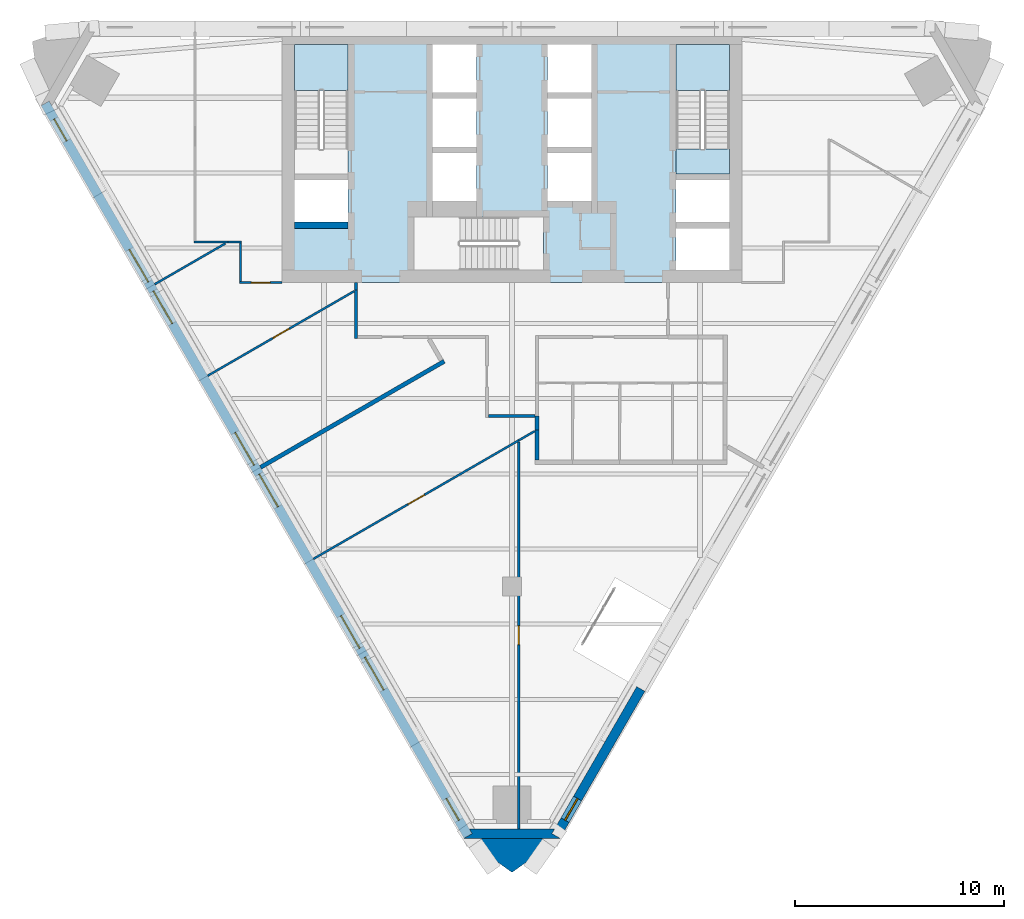
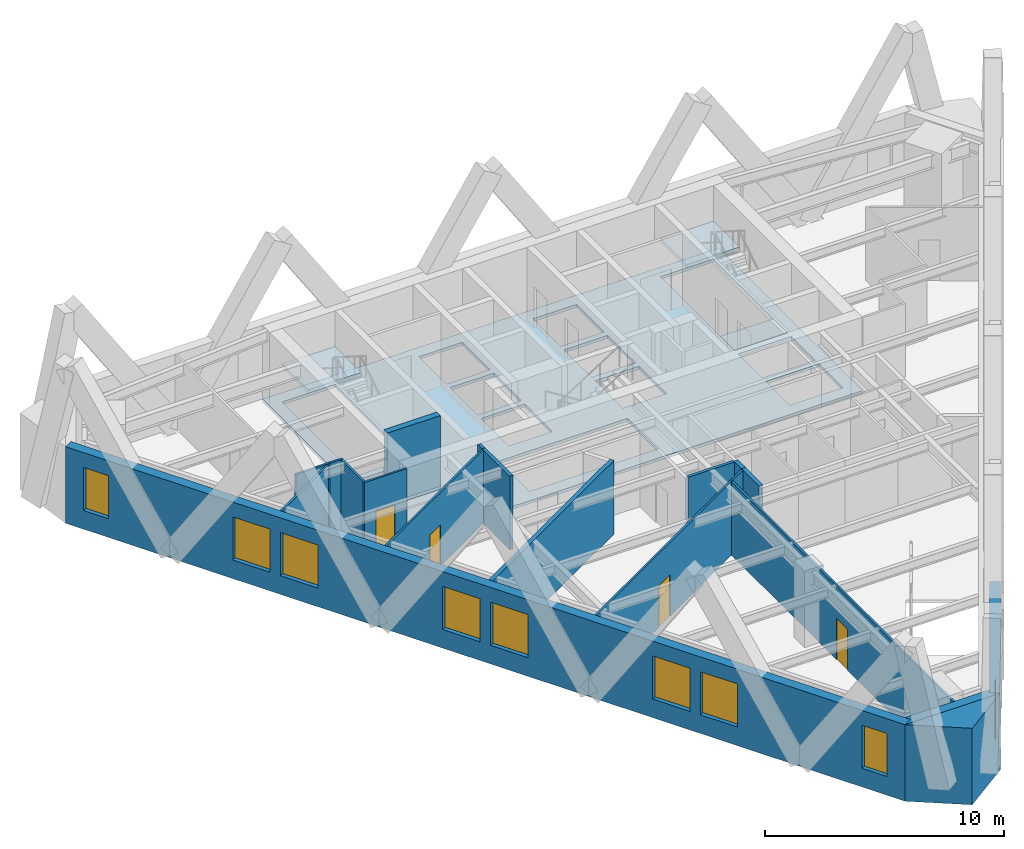
# One storey, part 4 of 11: 20 walls, 9 windows, 4 doors, 4 slabs, 13 openings, 2 elements without a shape of their own.
"""IFC4 building model written with IfcOpenShell, lengths in metres."""

from ifc_helpers import new_model, si_unit, direction, frame, frame_2d, origin, place, context, subcontext, project, spatial, polyline, rectangle, outline, extrude, material, layer, layer_set, type_object, element, fill, aggregate, save


model = new_model("IFC4")

# Units and contexts
model_context = context("Model", 3, precision=1e-05, world=origin(), true_north=direction((0.0, 1.0)))
body_context = subcontext(model_context, "Body", "Model", "MODEL_VIEW")
ifc_project = project(units=[si_unit("LENGTHUNIT", "METRE"), si_unit("AREAUNIT", "SQUARE_METRE"), si_unit("VOLUMEUNIT", "CUBIC_METRE"), si_unit("PLANEANGLEUNIT", "RADIAN"), si_unit("MASSUNIT", "GRAM", prefix="KILO")], contexts=[model_context])

# Site, building, storey
site_placement = place(None, origin())
site = spatial("IfcSite", under=ifc_project, at=site_placement, CompositionType="ELEMENT")
building_placement = place(site_placement, origin())
building = spatial("IfcBuilding", under=site, at=building_placement, Name="Aloe Facet Convention Tower", CompositionType="ELEMENT")
storey_placement = place(building_placement, frame((0.0, 0.0, 167.60009765625)))
storey = spatial("IfcBuildingStorey", under=building, at=storey_placement, Name="L42", CompositionType="ELEMENT", Elevation=167.60009765625)

# Slabs
ifc_material_1 = material(Name="Concrete C60/75", Category="concrete")
ifc_layer_1 = layer(ifc_material_1, 0.14990234375)
ifc_layer_set_1 = layer_set([ifc_layer_1], Name="CR-S-FLOOR150-C6075")
slab_type_1 = type_object("IfcSlabType", Name="CR-S-FLOOR150-C6075", PredefinedType="FLOOR", material=ifc_layer_set_1)
slab_1_placement = place(storey_placement, frame((0.0, 0.0, -0.150146484375)))
element("IfcSlab", 1, at=slab_1_placement, inside=storey, type_object=slab_type_1, Name="Core floor L42", PredefinedType="FLOOR", context=body_context, shape_type="SweptSolid", body=[
    extrude(outline(polyline([(71.85009765625, 134.550048828125), (72.75, 134.550048828125), (75.60009765625, 134.550048828125), (76.5, 134.550048828125), (78.0, 134.550048828125), (78.89990234375, 134.550048828125), (81.10009765625, 134.550048828125), (82.0, 134.550048828125), (83.5, 134.550048828125), (84.39990234375, 134.550048828125), (87.25, 134.550048828125), (88.14990234375, 134.550048828125), (91.0, 134.550048828125), (91.0, 128.050048828125), (91.0, 127.14990234375), (91.0, 125.75), (91.0, 124.85009765625), (91.0, 122.550048828125), (88.14990234375, 122.550048828125), (87.25, 122.550048828125), (85.300048828125, 122.550048828125), (84.39990234375, 122.550048828125), (82.10009765625, 122.550048828125), (81.199951171875, 122.550048828125), (75.60009765625, 122.550048828125), (74.699951171875, 122.550048828125), (72.75, 122.550048828125), (71.85009765625, 122.550048828125), (69.0, 122.550048828125), (69.0, 124.85009765625), (69.0, 125.75), (69.0, 127.14990234375), (69.0, 128.050048828125), (69.0, 134.550048828125), (71.85009765625, 134.550048828125)]), holes=[polyline([(80.298828125, 123.14990234375), (81.5, 123.14990234375), (81.5, 125.699951171875), (80.298828125, 125.699951171875), (75.300048828125, 125.699951171875), (75.300048828125, 123.14990234375), (80.298828125, 123.14990234375)]), polyline([(69.60009765625, 125.449951171875), (72.14990234375, 125.449951171875), (72.14990234375, 127.449951171875), (69.60009765625, 127.449951171875), (69.60009765625, 125.449951171875)]), polyline([(76.199951171875, 126.449951171875), (78.300048828125, 126.449951171875), (78.300048828125, 128.75), (76.199951171875, 128.75), (76.199951171875, 126.449951171875)]), polyline([(78.300048828125, 129.050048828125), (78.300048828125, 131.35009765625), (76.199951171875, 131.35009765625), (76.199951171875, 129.050048828125), (78.300048828125, 129.050048828125)]), polyline([(69.60009765625, 133.949951171875), (69.60009765625, 128.951171875), (69.60009765625, 127.75), (72.14990234375, 127.75), (72.14990234375, 128.951171875), (72.14990234375, 133.949951171875), (69.60009765625, 133.949951171875)]), polyline([(76.199951171875, 131.64990234375), (78.300048828125, 131.64990234375), (78.300048828125, 133.949951171875), (76.199951171875, 133.949951171875), (76.199951171875, 131.64990234375)]), polyline([(90.39990234375, 123.14990234375), (90.39990234375, 125.14990234375), (87.85009765625, 125.14990234375), (87.85009765625, 123.14990234375), (90.39990234375, 123.14990234375)]), polyline([(87.85009765625, 125.449951171875), (90.39990234375, 125.449951171875), (90.39990234375, 127.449951171875), (87.85009765625, 127.449951171875), (87.85009765625, 125.449951171875)]), polyline([(81.699951171875, 126.449951171875), (83.800048828125, 126.449951171875), (83.800048828125, 128.75), (81.699951171875, 128.75), (81.699951171875, 126.449951171875)]), polyline([(83.800048828125, 129.050048828125), (83.800048828125, 131.35009765625), (81.699951171875, 131.35009765625), (81.699951171875, 129.050048828125), (83.800048828125, 129.050048828125)]), polyline([(87.85009765625, 133.949951171875), (87.85009765625, 128.951171875), (87.85009765625, 127.75), (90.39990234375, 127.75), (90.39990234375, 128.951171875), (90.39990234375, 133.949951171875), (87.85009765625, 133.949951171875)]), polyline([(81.699951171875, 131.64990234375), (83.800048828125, 131.64990234375), (83.800048828125, 133.949951171875), (81.699951171875, 133.949951171875), (81.699951171875, 131.64990234375)])]), origin(), (0.0, 0.0, 1.0), 0.150146484375),
])
ifc_material_2 = material(Name="Concrete C60/75", Category="concrete")
ifc_layer_2 = layer(ifc_material_2, 0.300048828125)
ifc_layer_set_2 = layer_set([ifc_layer_2], Name="CR-S-FLOOR300-C6075")
slab_type_2 = type_object("IfcSlabType", Name="CR-S-FLOOR300-C6075", PredefinedType="FLOOR", material=ifc_layer_set_2)
slab_2_placement = place(storey_placement, frame((0.0, 0.0, -0.300048828125)))
element("IfcSlab", 2, at=slab_2_placement, inside=storey, type_object=slab_type_2, Name="Stair landing floor L42", PredefinedType="FLOOR", context=body_context, shape_type="SweptSolid", body=[
    extrude(outline(polyline([(90.39990234375, 127.75), (90.39990234375, 128.951171875), (87.85009765625, 128.951171875), (87.85009765625, 127.75), (90.39990234375, 127.75)])), origin(), (0.0, 0.0, 1.0), 0.300048828125),
])

# Stair, slab
ifc_material_3 = material(Name="Concrete C50/60", Category="concrete")
stair_type = type_object("IfcStairType", Name="CR-ST-22R", PredefinedType="HALF_TURN_STAIR", material=ifc_material_3)
stair_1_placement = place(storey_placement, origin())
stair_1 = element("IfcStair", 3, at=stair_1_placement, inside=storey, type_object=stair_type, Name="L42 Protected exit stair ST1", PredefinedType="HALF_TURN_STAIR")
ifc_material_4 = material(Name="Concrete C50/60", Category="concrete")
ifc_layer_3 = layer(ifc_material_4, 0.199951171875)
ifc_layer_set_3 = layer_set([ifc_layer_3], Name="CR-SL-LANDING")
slab_type_3 = type_object("IfcSlabType", Name="CR-SL-LANDING", PredefinedType="LANDING", material=ifc_layer_set_3)
slab_3_placement = place(storey_placement, frame((0.0, 0.0, 1.75)))
slab_3 = element("IfcSlab", 4, at=slab_3_placement, type_object=slab_type_3, Name="ST1 landing 1", PredefinedType="LANDING", context=body_context, shape_type="SweptSolid", body=[
    extrude(outline(polyline([(72.14990234375, 131.75), (72.14990234375, 133.949951171875), (69.60009765625, 133.949951171875), (69.60009765625, 131.75), (72.14990234375, 131.75)])), origin(), (0.0, 0.0, 1.0), 0.199951171875),
])
aggregate(stair_1, [slab_3])

stair_2_placement = place(storey_placement, origin())
stair_2 = element("IfcStair", 5, at=stair_2_placement, inside=storey, type_object=stair_type, Name="L42 Protected exit stair ST2", PredefinedType="HALF_TURN_STAIR")
slab_4_placement = place(storey_placement, frame((0.0, 0.0, 1.75)))
slab_4 = element("IfcSlab", 6, at=slab_4_placement, type_object=slab_type_3, Name="ST2 landing 1", PredefinedType="LANDING", context=body_context, shape_type="SweptSolid", body=[
    extrude(outline(polyline([(90.39990234375, 131.75), (90.39990234375, 133.949951171875), (87.85009765625, 133.949951171875), (87.85009765625, 131.75), (90.39990234375, 131.75)])), origin(), (0.0, 0.0, 1.0), 0.199951171875),
])
aggregate(stair_2, [slab_4])

# Walls
ifc_material_5 = material(Name="Concrete C60/75", Category="concrete")
ifc_layer_4 = layer(ifc_material_5, 0.300048828125)
ifc_layer_set_4 = layer_set([ifc_layer_4], Name="CR-W-RC300-C6075")
wall_type_1 = type_object("IfcWallType", Name="CR-W-RC300-C6075", PredefinedType="SOLIDWALL", material=ifc_layer_set_4)
wall_1_placement = place(storey_placement, frame((69.60009765625, 125.300048828125, 0.0), z_axis=(0.0, 0.0, 1.0), x_axis=(1.0, 0.0, 0.0)))
element("IfcWall", 7, at=wall_1_placement, inside=storey, type_object=wall_type_1, Name="Core wall L42-005", PredefinedType="SOLIDWALL", context=body_context, shape_type="SweptSolid", body=[
    extrude(rectangle(XDim=2.5498046875, YDim=0.300048828125, at=frame_2d((1.27490234375, 0.0))), origin(), (0.0, 0.0, 1.0), 3.75),
])
ifc_material_6 = material(Name="Precast concrete C40/50", Category="concrete")
ifc_layer_5 = layer(ifc_material_6, 0.449951171875)
ifc_layer_set_5 = layer_set([ifc_layer_5], Name="EV-WALL-PIER")
wall_type_2 = type_object("IfcWallType", Name="EV-WALL-PIER", PredefinedType="SOLIDWALL", material=ifc_layer_set_5)
wall_2_placement = place(storey_placement, frame((0.0, 0.0, -0.150146484375)))
element("IfcWall", 8, at=wall_2_placement, inside=storey, type_object=wall_type_2, Name="EP-L42-B", PredefinedType="SOLIDWALL", context=body_context, shape_type="SweptSolid", body=[
    extrude(outline(polyline([(77.699951171875, 95.954345703125), (78.089599609375, 96.17919921875), (77.959716796875, 96.404296875), (82.040283203125, 96.404296875), (81.910400390625, 96.17919921875), (82.300048828125, 95.954345703125), (77.699951171875, 95.954345703125)])), origin(), (0.0, 0.0, 1.0), 3.900146484375),
])
ifc_material_7 = material(Name="Precast concrete C40/50", Category="concrete")
ifc_layer_6 = layer(ifc_material_7, 3.947998046875)
ifc_layer_set_6 = layer_set([ifc_layer_6], Name="EV-WALL-SPINE")
wall_type_3 = type_object("IfcWallType", Name="EV-WALL-SPINE", PredefinedType="SOLIDWALL", material=ifc_layer_set_6)
wall_3_placement = place(storey_placement, frame((0.0, 0.0, -0.150146484375)))
element("IfcWall", 9, at=wall_3_placement, inside=storey, type_object=wall_type_3, Name="SP-S-L42", PredefinedType="SOLIDWALL", context=body_context, shape_type="SweptSolid", body=[
    extrude(outline(polyline([(77.699951171875, 95.954345703125), (80.0, 94.32275390625), (82.300048828125, 95.954345703125), (77.699951171875, 95.954345703125)])), origin(), (0.0, 0.0, 1.0), 3.900146484375),
])

# Wall, openings, windows
ifc_material_8 = material(Name="Precast concrete C40/50", Category="concrete")
ifc_layer_7 = layer(ifc_material_8, 0.449951171875)
ifc_layer_set_7 = layer_set([ifc_layer_7], Name="EV-WALL-STONE")
wall_type_4 = type_object("IfcWallType", Name="EV-WALL-STONE", PredefinedType="SOLIDWALL", material=ifc_layer_set_7)
wall_4_placement = place(storey_placement, frame((57.65185546875, 131.128662109375, -0.150146484375), z_axis=(0.0, 0.0, 1.0), x_axis=(0.499997369791, -0.866026922331, 0.0)))
wall_4 = element("IfcWall", 10, at=wall_4_placement, inside=storey, type_object=wall_type_4, Name="EW-L42-W01", PredefinedType="SOLIDWALL", context=body_context, shape_type="SweptSolid", body=[
    extrude(outline(polyline([(40.486083984375, 0.0), (40.486083984375, 3.900146484375), (0.0, 3.900146484375), (0.0, 0.0), (40.486083984375, 0.0)])), frame((0.0, 0.22509765625, 0.0), z_axis=(0.0, -1.0, 0.0), x_axis=(1.0, 0.0, 0.0)), (0.0, 0.0, 1.0), 0.449951171875),
])
opening_1_placement = place(wall_4_placement, frame((0.86962890625, 0.0, 0.949951171875)))
opening_1 = element("IfcOpeningElement", 11, at=opening_1_placement, cuts=wall_4, Name="Opening W-L42-W01", PredefinedType="OPENING", context=body_context, shape_type="SweptSolid", body=[
    extrude(rectangle(XDim=1.199951171875, YDim=2.199951171875, at=frame_2d((0.60009765625, 1.10009765625))), frame((0.0, 0.23486328125, 0.0), z_axis=(0.0, -1.0, 0.0), x_axis=(1.0, 0.0, 0.0)), (0.0, 0.0, 1.0), 0.469970703125),
])
opening_2_placement = place(wall_4_placement, frame((8.071533203125, 0.0, 0.949951171875)))
opening_2 = element("IfcOpeningElement", 12, at=opening_2_placement, cuts=wall_4, Name="Opening W-L42-W02", PredefinedType="OPENING", context=body_context, shape_type="SweptSolid", body=[
    extrude(rectangle(XDim=1.800048828125, YDim=2.199951171875, at=frame_2d((0.89990234375, 1.10009765625))), frame((0.0, 0.23486328125, 0.0), z_axis=(0.0, -1.0, 0.0), x_axis=(1.0, 0.0, 0.0)), (0.0, 0.0, 1.0), 0.469970703125),
])
opening_3_placement = place(wall_4_placement, frame((10.37158203125, 0.0, 0.949951171875)))
opening_3 = element("IfcOpeningElement", 13, at=opening_3_placement, cuts=wall_4, Name="Opening W-L42-W03", PredefinedType="OPENING", context=body_context, shape_type="SweptSolid", body=[
    extrude(rectangle(XDim=1.800048828125, YDim=2.199951171875, at=frame_2d((0.89990234375, 1.10009765625))), frame((0.0, 0.23486328125, 0.0), z_axis=(0.0, -1.0, 0.0), x_axis=(1.0, 0.0, 0.0)), (0.0, 0.0, 1.0), 0.469970703125),
])
opening_4_placement = place(wall_4_placement, frame((18.193115234375, 0.0, 0.949951171875)))
opening_4 = element("IfcOpeningElement", 14, at=opening_4_placement, cuts=wall_4, Name="Opening W-L42-W04", PredefinedType="OPENING", context=body_context, shape_type="SweptSolid", body=[
    extrude(rectangle(XDim=1.800048828125, YDim=2.199951171875, at=frame_2d((0.89990234375, 1.10009765625))), frame((0.0, 0.23486328125, 0.0), z_axis=(0.0, -1.0, 0.0), x_axis=(1.0, 0.0, 0.0)), (0.0, 0.0, 1.0), 0.469970703125),
])
opening_5_placement = place(wall_4_placement, frame((20.4931640625, 0.0, 0.949951171875)))
opening_5 = element("IfcOpeningElement", 15, at=opening_5_placement, cuts=wall_4, Name="Opening W-L42-W05", PredefinedType="OPENING", context=body_context, shape_type="SweptSolid", body=[
    extrude(rectangle(XDim=1.800048828125, YDim=2.199951171875, at=frame_2d((0.89990234375, 1.10009765625))), frame((0.0, 0.23486328125, 0.0), z_axis=(0.0, -1.0, 0.0), x_axis=(1.0, 0.0, 0.0)), (0.0, 0.0, 1.0), 0.469970703125),
])
opening_6_placement = place(wall_4_placement, frame((28.314697265625, 0.0, 0.949951171875)))
opening_6 = element("IfcOpeningElement", 16, at=opening_6_placement, cuts=wall_4, Name="Opening W-L42-W06", PredefinedType="OPENING", context=body_context, shape_type="SweptSolid", body=[
    extrude(rectangle(XDim=1.800048828125, YDim=2.199951171875, at=frame_2d((0.89990234375, 1.10009765625))), frame((0.0, 0.23486328125, 0.0), z_axis=(0.0, -1.0, 0.0), x_axis=(1.0, 0.0, 0.0)), (0.0, 0.0, 1.0), 0.469970703125),
])
opening_7_placement = place(wall_4_placement, frame((30.614501953125, 0.0, 0.949951171875)))
opening_7 = element("IfcOpeningElement", 17, at=opening_7_placement, cuts=wall_4, Name="Opening W-L42-W07", PredefinedType="OPENING", context=body_context, shape_type="SweptSolid", body=[
    extrude(rectangle(XDim=1.800048828125, YDim=2.199951171875, at=frame_2d((0.89990234375, 1.10009765625))), frame((0.0, 0.23486328125, 0.0), z_axis=(0.0, -1.0, 0.0), x_axis=(1.0, 0.0, 0.0)), (0.0, 0.0, 1.0), 0.469970703125),
])
opening_8_placement = place(wall_4_placement, frame((38.41650390625, 0.0, 0.949951171875)))
opening_8 = element("IfcOpeningElement", 18, at=opening_8_placement, cuts=wall_4, Name="Opening W-L42-W08", PredefinedType="OPENING", context=body_context, shape_type="SweptSolid", body=[
    extrude(rectangle(XDim=1.199951171875, YDim=2.199951171875, at=frame_2d((0.60009765625, 1.10009765625))), frame((0.0, 0.23486328125, 0.0), z_axis=(0.0, -1.0, 0.0), x_axis=(1.0, 0.0, 0.0)), (0.0, 0.0, 1.0), 0.469970703125),
])
ifc_material_9 = material(Name="Aluminium frame, clear double glazing", Category="aluminium")
window_type_1 = type_object("IfcWindowType", Name="EV-WIN-O12", PartitioningType="SINGLE_PANEL", PredefinedType="WINDOW", material=ifc_material_9)
window_1_placement = place(opening_1_placement, origin())
window_1 = element("IfcWindow", 19, at=window_1_placement, inside=storey, type_object=window_type_1, Name="W-L42-W01", OverallHeight=2.199951171875, OverallWidth=1.199951171875, PartitioningType="SINGLE_PANEL", PredefinedType="WINDOW", context=body_context, shape_type="SweptSolid", body=[
    extrude(rectangle(XDim=1.199951171875, YDim=2.199951171875, at=frame_2d((0.60009765625, 1.10009765625))), frame((0.0, 0.030029296875, 0.0), z_axis=(0.0, -1.0, 0.0), x_axis=(1.0, 0.0, 0.0)), (0.0, 0.0, 1.0), 0.06005859375),
])
fill(opening_1, window_1)
window_2_placement = place(opening_8_placement, origin())
window_2 = element("IfcWindow", 20, at=window_2_placement, inside=storey, type_object=window_type_1, Name="W-L42-W08", OverallHeight=2.199951171875, OverallWidth=1.199951171875, PartitioningType="SINGLE_PANEL", PredefinedType="WINDOW", context=body_context, shape_type="SweptSolid", body=[
    extrude(rectangle(XDim=1.199951171875, YDim=2.199951171875, at=frame_2d((0.60009765625, 1.10009765625))), frame((0.0, 0.030029296875, 0.0), z_axis=(0.0, -1.0, 0.0), x_axis=(1.0, 0.0, 0.0)), (0.0, 0.0, 1.0), 0.06005859375),
])
fill(opening_8, window_2)
ifc_material_10 = material(Name="Aluminium frame, clear double glazing", Category="aluminium")
window_type_2 = type_object("IfcWindowType", Name="EV-WIN-O18", PartitioningType="SINGLE_PANEL", PredefinedType="WINDOW", material=ifc_material_10)
window_3_placement = place(opening_2_placement, origin())
window_3 = element("IfcWindow", 21, at=window_3_placement, inside=storey, type_object=window_type_2, Name="W-L42-W02", OverallHeight=2.199951171875, OverallWidth=1.800048828125, PartitioningType="SINGLE_PANEL", PredefinedType="WINDOW", context=body_context, shape_type="SweptSolid", body=[
    extrude(rectangle(XDim=1.800048828125, YDim=2.199951171875, at=frame_2d((0.89990234375, 1.10009765625))), frame((0.0, 0.030029296875, 0.0), z_axis=(0.0, -1.0, 0.0), x_axis=(1.0, 0.0, 0.0)), (0.0, 0.0, 1.0), 0.06005859375),
])
fill(opening_2, window_3)
window_4_placement = place(opening_3_placement, origin())
window_4 = element("IfcWindow", 22, at=window_4_placement, inside=storey, type_object=window_type_2, Name="W-L42-W03", OverallHeight=2.199951171875, OverallWidth=1.800048828125, PartitioningType="SINGLE_PANEL", PredefinedType="WINDOW", context=body_context, shape_type="SweptSolid", body=[
    extrude(rectangle(XDim=1.800048828125, YDim=2.199951171875, at=frame_2d((0.89990234375, 1.10009765625))), frame((0.0, 0.030029296875, 0.0), z_axis=(0.0, -1.0, 0.0), x_axis=(1.0, 0.0, 0.0)), (0.0, 0.0, 1.0), 0.06005859375),
])
fill(opening_3, window_4)
window_5_placement = place(opening_4_placement, origin())
window_5 = element("IfcWindow", 23, at=window_5_placement, inside=storey, type_object=window_type_2, Name="W-L42-W04", OverallHeight=2.199951171875, OverallWidth=1.800048828125, PartitioningType="SINGLE_PANEL", PredefinedType="WINDOW", context=body_context, shape_type="SweptSolid", body=[
    extrude(rectangle(XDim=1.800048828125, YDim=2.199951171875, at=frame_2d((0.89990234375, 1.10009765625))), frame((0.0, 0.030029296875, 0.0), z_axis=(0.0, -1.0, 0.0), x_axis=(1.0, 0.0, 0.0)), (0.0, 0.0, 1.0), 0.06005859375),
])
fill(opening_4, window_5)
window_6_placement = place(opening_5_placement, origin())
window_6 = element("IfcWindow", 24, at=window_6_placement, inside=storey, type_object=window_type_2, Name="W-L42-W05", OverallHeight=2.199951171875, OverallWidth=1.800048828125, PartitioningType="SINGLE_PANEL", PredefinedType="WINDOW", context=body_context, shape_type="SweptSolid", body=[
    extrude(rectangle(XDim=1.800048828125, YDim=2.199951171875, at=frame_2d((0.89990234375, 1.10009765625))), frame((0.0, 0.030029296875, 0.0), z_axis=(0.0, -1.0, 0.0), x_axis=(1.0, 0.0, 0.0)), (0.0, 0.0, 1.0), 0.06005859375),
])
fill(opening_5, window_6)
window_7_placement = place(opening_6_placement, origin())
window_7 = element("IfcWindow", 25, at=window_7_placement, inside=storey, type_object=window_type_2, Name="W-L42-W06", OverallHeight=2.199951171875, OverallWidth=1.800048828125, PartitioningType="SINGLE_PANEL", PredefinedType="WINDOW", context=body_context, shape_type="SweptSolid", body=[
    extrude(rectangle(XDim=1.800048828125, YDim=2.199951171875, at=frame_2d((0.89990234375, 1.10009765625))), frame((0.0, 0.030029296875, 0.0), z_axis=(0.0, -1.0, 0.0), x_axis=(1.0, 0.0, 0.0)), (0.0, 0.0, 1.0), 0.06005859375),
])
fill(opening_6, window_7)
window_8_placement = place(opening_7_placement, origin())
window_8 = element("IfcWindow", 26, at=window_8_placement, inside=storey, type_object=window_type_2, Name="W-L42-W07", OverallHeight=2.199951171875, OverallWidth=1.800048828125, PartitioningType="SINGLE_PANEL", PredefinedType="WINDOW", context=body_context, shape_type="SweptSolid", body=[
    extrude(rectangle(XDim=1.800048828125, YDim=2.199951171875, at=frame_2d((0.89990234375, 1.10009765625))), frame((0.0, 0.030029296875, 0.0), z_axis=(0.0, -1.0, 0.0), x_axis=(1.0, 0.0, 0.0)), (0.0, 0.0, 1.0), 0.06005859375),
])
fill(opening_7, window_8)

# Wall, opening, window
wall_5_placement = place(storey_placement, frame((82.105224609375, 96.066650390625, -0.150146484375), z_axis=(0.0, 0.0, 1.0), x_axis=(0.500002617434, 0.866023892603, 0.0)))
wall_5 = element("IfcWall", 27, at=wall_5_placement, inside=storey, type_object=wall_type_4, Name="EW-L42-E01", PredefinedType="SOLIDWALL", context=body_context, shape_type="SweptSolid", body=[
    extrude(outline(polyline([(0.0, 0.0), (0.0, 3.900146484375), (8.12158203125, 3.900146484375), (8.12158203125, 0.0), (0.0, 0.0)])), frame((0.0, 0.22509765625, 0.0), z_axis=(0.0, -1.0, 0.0), x_axis=(1.0, 0.0, 0.0)), (0.0, 0.0, 1.0), 0.449951171875),
])
opening_9_placement = place(wall_5_placement, frame((0.86962890625, 0.0, 0.949951171875)))
opening_9 = element("IfcOpeningElement", 28, at=opening_9_placement, cuts=wall_5, Name="Opening W-L42-E01", PredefinedType="OPENING", context=body_context, shape_type="SweptSolid", body=[
    extrude(rectangle(XDim=1.199951171875, YDim=2.199951171875, at=frame_2d((0.60009765625, 1.10009765625))), frame((0.0, 0.23486328125, 0.0), z_axis=(0.0, -1.0, 0.0), x_axis=(1.0, 0.0, 0.0)), (0.0, 0.0, 1.0), 0.469970703125),
])
window_9_placement = place(opening_9_placement, origin())
window_9 = element("IfcWindow", 29, at=window_9_placement, inside=storey, type_object=window_type_1, Name="W-L42-E01", OverallHeight=2.199951171875, OverallWidth=1.199951171875, PartitioningType="SINGLE_PANEL", PredefinedType="WINDOW", context=body_context, shape_type="SweptSolid", body=[
    extrude(rectangle(XDim=1.199951171875, YDim=2.199951171875, at=frame_2d((0.60009765625, 1.10009765625))), frame((0.0, 0.030029296875, 0.0), z_axis=(0.0, -1.0, 0.0), x_axis=(1.0, 0.0, 0.0)), (0.0, 0.0, 1.0), 0.06005859375),
])
fill(opening_9, window_9)

# Walls
ifc_material_11 = material(Name="Gypsum board partition on steel studs", Category="steel")
ifc_layer_8 = layer(ifc_material_11, 0.14990234375)
ifc_layer_set_8 = layer_set([ifc_layer_8], Name="IN-W-CORR")
wall_type_5 = type_object("IfcWallType", Name="IN-W-CORR", PredefinedType="PARTITIONING", material=ifc_layer_set_8)
wall_6_placement = place(storey_placement, frame((78.875, 116.15673828125, 0.0), z_axis=(0.0, 0.0, 1.0), x_axis=(1.0, 0.0, 0.0)))
element("IfcWall", 30, at=wall_6_placement, inside=storey, type_object=wall_type_5, Name="Partition L42-W015", PredefinedType="PARTITIONING", context=body_context, shape_type="SweptSolid", body=[
    extrude(rectangle(XDim=2.22509765625, YDim=0.14990234375, at=frame_2d((1.112548828125, 0.0))), origin(), (0.0, 0.0, 1.0), 3.75),
])
wall_7_placement = place(storey_placement, frame((72.52490234375, 119.875, 0.0), z_axis=(0.0, 0.0, 1.0), x_axis=(0.0, 1.0, 0.0)))
element("IfcWall", 31, at=wall_7_placement, inside=storey, type_object=wall_type_5, Name="Partition L42-W027", PredefinedType="PARTITIONING", context=body_context, shape_type="SweptSolid", body=[
    extrude(rectangle(XDim=2.309814453125, YDim=0.14990234375, at=frame_2d((1.15478515625, 0.0))), origin(), (0.0, 0.0, 1.0), 3.75),
])
wall_8_placement = place(storey_placement, frame((72.52490234375, 122.184814453125, 0.0), z_axis=(0.0, 0.0, 1.0), x_axis=(0.0, 1.0, 0.0)))
element("IfcWall", 32, at=wall_8_placement, inside=storey, type_object=wall_type_5, Name="Partition L42-W034", PredefinedType="PARTITIONING", context=body_context, shape_type="SweptSolid", body=[
    extrude(rectangle(XDim=0.365234375, YDim=0.14990234375, at=frame_2d((0.1826171875, 0.0))), origin(), (0.0, 0.0, 1.0), 3.75),
])

# Wall, opening, door
ifc_material_12 = material(Name="Gypsum board partition on steel studs", Category="steel")
ifc_layer_9 = layer(ifc_material_12, 0.10009765625)
ifc_layer_set_9 = layer_set([ifc_layer_9], Name="IN-W-PART")
wall_type_6 = type_object("IfcWallType", Name="IN-W-PART", PredefinedType="PARTITIONING", material=ifc_layer_set_9)
wall_9_placement = place(storey_placement, frame((70.49853515625, 109.32763671875, 0.0), z_axis=(0.0, 0.0, 1.0), x_axis=(0.866029704776, 0.49999255039, 0.0)))
wall_9 = element("IfcWall", 33, at=wall_9_placement, inside=storey, type_object=wall_type_6, Name="Partition L42-W001", PredefinedType="PARTITIONING", context=body_context, shape_type="SweptSolid", body=[
    extrude(rectangle(XDim=11.345458984375, YDim=0.10009765625, at=frame_2d((5.6728515625, 0.0))), origin(), (0.0, 0.0, 1.0), 3.75),
])
opening_10_placement = place(wall_9_placement, frame((5.22265625, 0.0, 0.0)))
opening_10 = element("IfcOpeningElement", 34, at=opening_10_placement, cuts=wall_9, Name="Opening L42-014", PredefinedType="OPENING", context=body_context, shape_type="SweptSolid", body=[
    extrude(rectangle(XDim=0.89990234375, YDim=2.10009765625, at=frame_2d((0.449951171875, 1.050048828125))), frame((0.0, 0.06005859375, 0.0), z_axis=(0.0, -1.0, 0.0), x_axis=(1.0, 0.0, 0.0)), (0.0, 0.0, 1.0), 0.1201171875),
])
ifc_material_13 = material(Name="Timber door", Category="wood")
door_type = type_object("IfcDoorType", Name="IN-OFF-D-ROOM", OperationType="SINGLE_SWING_LEFT", PredefinedType="DOOR", material=ifc_material_13)
door_1_placement = place(opening_10_placement, origin())
door_1 = element("IfcDoor", 35, at=door_1_placement, inside=storey, type_object=door_type, Name="Door L42-014", OperationType="SINGLE_SWING_LEFT", OverallHeight=2.10009765625, OverallWidth=0.89990234375, PredefinedType="DOOR", context=body_context, shape_type="SweptSolid", body=[
    extrude(rectangle(XDim=0.89990234375, YDim=2.10009765625, at=frame_2d((0.449951171875, 1.050048828125))), frame((0.0, 0.02490234375, 0.0), z_axis=(0.0, -1.0, 0.0), x_axis=(1.0, 0.0, 0.0)), (0.0, 0.0, 1.0), 0.050048828125),
])
fill(opening_10, door_1)

wall_10_placement = place(storey_placement, frame((80.323974609375, 96.404296875, 0.0), z_axis=(0.0, 0.0, 1.0), x_axis=(0.0, 1.0, 0.0)))
wall_10 = element("IfcWall", 36, at=wall_10_placement, inside=storey, type_object=wall_type_6, Name="Partition L42-W010", PredefinedType="PARTITIONING", context=body_context, shape_type="SweptSolid", body=[
    extrude(rectangle(XDim=18.52587890625, YDim=0.10009765625, at=frame_2d((9.262939453125, 0.0))), origin(), (0.0, 0.0, 1.0), 3.75),
])
opening_11_placement = place(wall_10_placement, frame((8.81298828125, 0.0, 0.0)))
opening_11 = element("IfcOpeningElement", 37, at=opening_11_placement, cuts=wall_10, Name="Opening L42-013", PredefinedType="OPENING", context=body_context, shape_type="SweptSolid", body=[
    extrude(rectangle(XDim=0.89990234375, YDim=2.10009765625, at=frame_2d((0.449951171875, 1.050048828125))), frame((0.0, 0.06005859375, 0.0), z_axis=(0.0, -1.0, 0.0), x_axis=(1.0, 0.0, 0.0)), (0.0, 0.0, 1.0), 0.1201171875),
])
door_2_placement = place(opening_11_placement, origin())
door_2 = element("IfcDoor", 38, at=door_2_placement, inside=storey, type_object=door_type, Name="Door L42-013", OperationType="SINGLE_SWING_LEFT", OverallHeight=2.10009765625, OverallWidth=0.89990234375, PredefinedType="DOOR", context=body_context, shape_type="SweptSolid", body=[
    extrude(rectangle(XDim=0.89990234375, YDim=2.10009765625, at=frame_2d((0.449951171875, 1.050048828125))), frame((0.0, 0.02490234375, 0.0), z_axis=(0.0, -1.0, 0.0), x_axis=(1.0, 0.0, 0.0)), (0.0, 0.0, 1.0), 0.050048828125),
])
fill(opening_11, door_2)

# Wall
wall_11_placement = place(storey_placement, frame((80.323974609375, 115.000244140625, 0.0), z_axis=(0.0, 0.0, 1.0), x_axis=(0.866070288904, 0.499922248632, 0.0)))
element("IfcWall", 39, at=wall_11_placement, inside=storey, type_object=wall_type_6, Name="Partition L42-W011", PredefinedType="PARTITIONING", context=body_context, shape_type="SweptSolid", body=[
    extrude(rectangle(XDim=0.881591796875, YDim=0.10009765625, at=frame_2d((0.44091796875, 0.0))), origin(), (0.0, 0.0, 1.0), 3.75),
])

# Wall, opening, door
wall_12_placement = place(storey_placement, frame((65.437744140625, 118.093017578125, 0.0), z_axis=(0.0, 0.0, 1.0), x_axis=(0.866029768103, 0.499992440702, 0.0)))
wall_12 = element("IfcWall", 40, at=wall_12_placement, inside=storey, type_object=wall_type_6, Name="Partition L42-W025", PredefinedType="PARTITIONING", context=body_context, shape_type="SweptSolid", body=[
    extrude(rectangle(XDim=8.088623046875, YDim=0.10009765625, at=frame_2d((4.04443359375, 0.0))), origin(), (0.0, 0.0, 1.0), 3.75),
])
opening_12_placement = place(wall_12_placement, frame((3.59423828125, 0.0, 0.0)))
opening_12 = element("IfcOpeningElement", 41, at=opening_12_placement, cuts=wall_12, Name="Opening L42-009", PredefinedType="OPENING", context=body_context, shape_type="SweptSolid", body=[
    extrude(rectangle(XDim=0.89990234375, YDim=2.10009765625, at=frame_2d((0.449951171875, 1.050048828125))), frame((0.0, 0.06005859375, 0.0), z_axis=(0.0, -1.0, 0.0), x_axis=(1.0, 0.0, 0.0)), (0.0, 0.0, 1.0), 0.1201171875),
])
door_3_placement = place(opening_12_placement, origin())
door_3 = element("IfcDoor", 42, at=door_3_placement, inside=storey, type_object=door_type, Name="Door L42-009", OperationType="SINGLE_SWING_LEFT", OverallHeight=2.10009765625, OverallWidth=0.89990234375, PredefinedType="DOOR", context=body_context, shape_type="SweptSolid", body=[
    extrude(rectangle(XDim=0.89990234375, YDim=2.10009765625, at=frame_2d((0.449951171875, 1.050048828125))), frame((0.0, 0.02490234375, 0.0), z_axis=(0.0, -1.0, 0.0), x_axis=(1.0, 0.0, 0.0)), (0.0, 0.0, 1.0), 0.050048828125),
])
fill(opening_12, door_3)

# Wall
wall_13_placement = place(storey_placement, frame((62.907470703125, 122.475830078125, 0.0), z_axis=(0.0, 0.0, 1.0), x_axis=(0.866014543207, 0.500018810599, 0.0)))
element("IfcWall", 43, at=wall_13_placement, inside=storey, type_object=wall_type_6, Name="Partition L42-W035", PredefinedType="PARTITIONING", context=body_context, shape_type="SweptSolid", body=[
    extrude(rectangle(XDim=3.898193359375, YDim=0.10009765625, at=frame_2d((1.94921875, 0.0))), origin(), (0.0, 0.0, 1.0), 3.75),
])

# Wall, opening, door
wall_14_placement = place(storey_placement, frame((66.949951171875, 122.550048828125, 0.0), z_axis=(0.0, 0.0, 1.0), x_axis=(1.0, 0.0, 0.0)))
wall_14 = element("IfcWall", 44, at=wall_14_placement, inside=storey, type_object=wall_type_6, Name="Partition L42-W036", PredefinedType="PARTITIONING", context=body_context, shape_type="SweptSolid", body=[
    extrude(rectangle(XDim=2.050048828125, YDim=0.10009765625, at=frame_2d((1.02490234375, 0.0))), origin(), (0.0, 0.0, 1.0), 3.75),
])
opening_13_placement = place(wall_14_placement, frame((0.574951171875, 0.0, 0.0)))
opening_13 = element("IfcOpeningElement", 45, at=opening_13_placement, cuts=wall_14, Name="Opening L42-007", PredefinedType="OPENING", context=body_context, shape_type="SweptSolid", body=[
    extrude(rectangle(XDim=0.89990234375, YDim=2.10009765625, at=frame_2d((0.449951171875, 1.050048828125))), frame((0.0, 0.06005859375, 0.0), z_axis=(0.0, -1.0, 0.0), x_axis=(1.0, 0.0, 0.0)), (0.0, 0.0, 1.0), 0.1201171875),
])
door_4_placement = place(opening_13_placement, origin())
door_4 = element("IfcDoor", 46, at=door_4_placement, inside=storey, type_object=door_type, Name="Door L42-007", OperationType="SINGLE_SWING_LEFT", OverallHeight=2.10009765625, OverallWidth=0.89990234375, PredefinedType="DOOR", context=body_context, shape_type="SweptSolid", body=[
    extrude(rectangle(XDim=0.89990234375, YDim=2.10009765625, at=frame_2d((0.449951171875, 1.050048828125))), frame((0.0, 0.02490234375, 0.0), z_axis=(0.0, -1.0, 0.0), x_axis=(1.0, 0.0, 0.0)), (0.0, 0.0, 1.0), 0.050048828125),
])
fill(opening_13, door_4)

# Walls
wall_15_placement = place(storey_placement, frame((64.779541015625, 124.5, 0.0), z_axis=(0.0, 0.0, 1.0), x_axis=(1.0, 0.0, 0.0)))
element("IfcWall", 47, at=wall_15_placement, inside=storey, type_object=wall_type_6, Name="Partition L42-W040", PredefinedType="PARTITIONING", context=body_context, shape_type="SweptSolid", body=[
    extrude(rectangle(XDim=1.634033203125, YDim=0.10009765625, at=frame_2d((0.81689453125, 0.0))), origin(), (0.0, 0.0, 1.0), 3.75),
])
wall_16_placement = place(storey_placement, frame((66.41357421875, 124.5, 0.0), z_axis=(0.0, 0.0, 1.0), x_axis=(1.0, 0.0, 0.0)))
element("IfcWall", 48, at=wall_16_placement, inside=storey, type_object=wall_type_6, Name="Partition L42-W041", PredefinedType="PARTITIONING", context=body_context, shape_type="SweptSolid", body=[
    extrude(rectangle(XDim=0.636474609375, YDim=0.10009765625, at=frame_2d((0.318359375, 0.0))), origin(), (0.0, 0.0, 1.0), 3.75),
])
wall_17_placement = place(storey_placement, frame((67.0, 122.60009765625, 0.0), z_axis=(0.0, 0.0, 1.0), x_axis=(0.0, 1.0, 0.0)))
element("IfcWall", 49, at=wall_17_placement, inside=storey, type_object=wall_type_6, Name="Partition L42-W042", PredefinedType="PARTITIONING", context=body_context, shape_type="SweptSolid", body=[
    extrude(rectangle(XDim=1.849853515625, YDim=0.10009765625, at=frame_2d((0.9248046875, 0.0))), origin(), (0.0, 0.0, 1.0), 3.75),
])
ifc_material_14 = material(Name="Gypsum board partition on steel studs", Category="steel")
ifc_layer_10 = layer(ifc_material_14, 0.199951171875)
ifc_layer_set_10 = layer_set([ifc_layer_10], Name="IN-W-PARTY")
wall_type_7 = type_object("IfcWallType", Name="IN-W-PARTY", PredefinedType="PARTITIONING", material=ifc_layer_set_10)
wall_18_placement = place(storey_placement, frame((67.96826171875, 113.710205078125, 0.0), z_axis=(0.0, 0.0, 1.0), x_axis=(0.866024129094, 0.500002207822, 0.0)))
element("IfcWall", 50, at=wall_18_placement, inside=storey, type_object=wall_type_7, Name="Partition L42-W002", PredefinedType="PARTITIONING", context=body_context, shape_type="SweptSolid", body=[
    extrude(rectangle(XDim=10.14794921875, YDim=0.199951171875, at=frame_2d((5.073974609375, 0.0))), origin(), (0.0, 0.0, 1.0), 3.75),
])
wall_19_placement = place(storey_placement, frame((81.201904296875, 114.050048828125, 0.0), z_axis=(0.0, 0.0, 1.0), x_axis=(-0.001341605366, 0.999999100047, 0.0)))
element("IfcWall", 51, at=wall_19_placement, inside=storey, type_object=wall_type_7, Name="Partition L42-W012", PredefinedType="PARTITIONING", context=body_context, shape_type="SweptSolid", body=[
    extrude(rectangle(XDim=1.455810546875, YDim=0.199951171875, at=frame_2d((0.72802734375, 0.0))), origin(), (0.0, 0.0, 1.0), 3.75),
])
wall_20_placement = place(storey_placement, frame((81.199951171875, 115.505859375, 0.0), z_axis=(0.0, 0.0, 1.0), x_axis=(0.0, 1.0, 0.0)))
element("IfcWall", 52, at=wall_20_placement, inside=storey, type_object=wall_type_7, Name="Partition L42-W014", PredefinedType="PARTITIONING", context=body_context, shape_type="SweptSolid", body=[
    extrude(rectangle(XDim=0.65087890625, YDim=0.199951171875, at=frame_2d((0.325439453125, 0.0))), origin(), (0.0, 0.0, 1.0), 3.75),
])

save(model, "model.ifc")
